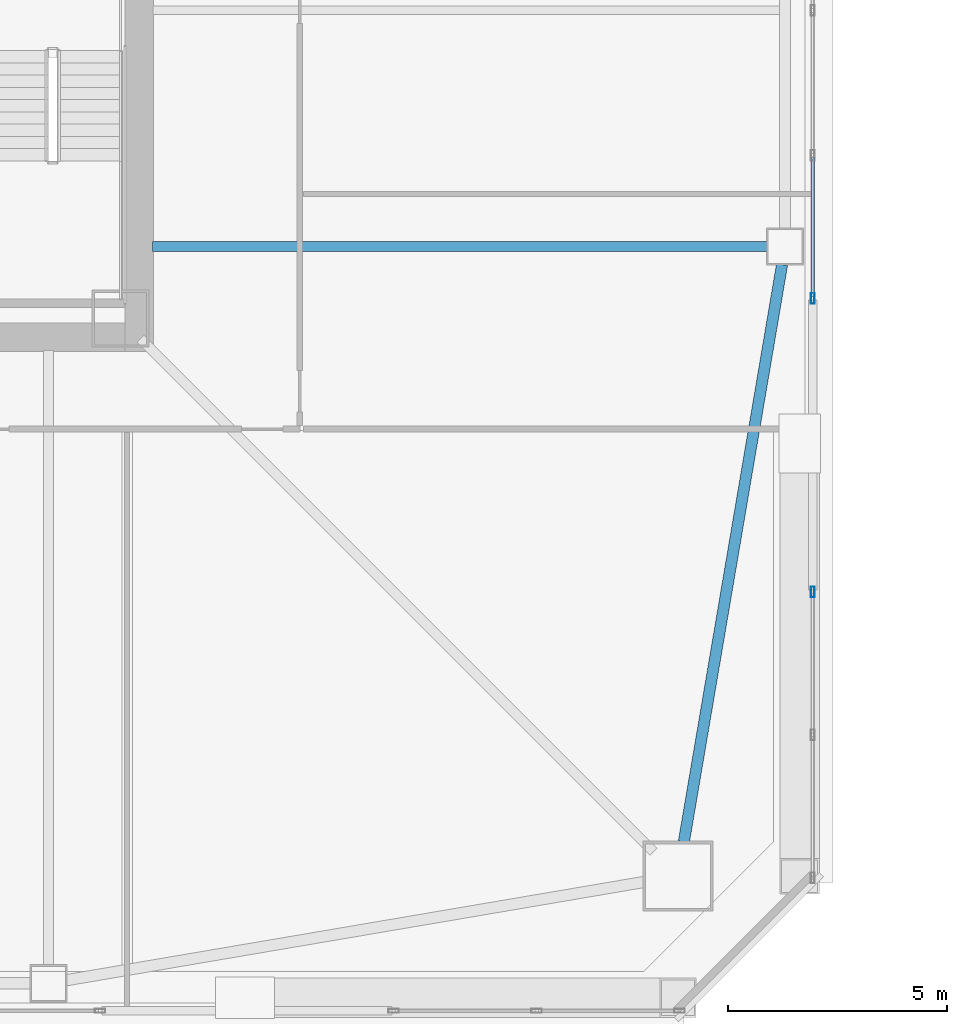
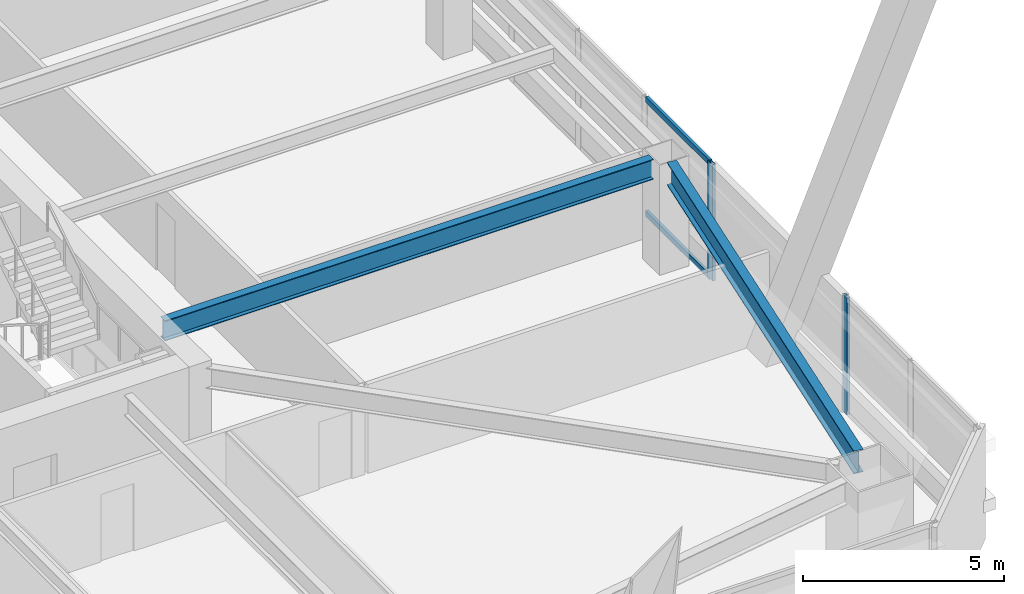
# One storey, part 15 of 75: 4 members, 2 beams, 2 elements without a shape of their own.
"""IFC4 building model written with IfcOpenShell, lengths in metres."""

from ifc_helpers import new_model, si_unit, direction, frame, origin, origin_2d, place, context, subcontext, project, spatial, hollow_rectangle, i_section, extrude, material, material_profile, profile_set, type_object, element, aggregate, save


model = new_model("IFC4")

# Units and contexts
model_context = context("Model", 3, precision=1e-05, world=origin(), true_north=direction((0.0, 1.0)))
body_context = subcontext(model_context, "Body", "Model", "MODEL_VIEW")
ifc_project = project(units=[si_unit("LENGTHUNIT", "METRE"), si_unit("AREAUNIT", "SQUARE_METRE"), si_unit("VOLUMEUNIT", "CUBIC_METRE"), si_unit("PLANEANGLEUNIT", "RADIAN"), si_unit("MASSUNIT", "GRAM", prefix="KILO")], contexts=[model_context])

# Site, building, storey
site_placement = place(None, origin())
site = spatial("IfcSite", under=ifc_project, at=site_placement, CompositionType="ELEMENT")
building_placement = place(site_placement, origin())
building = spatial("IfcBuilding", under=site, at=building_placement, Name="Tashvorn Skyway Center", CompositionType="ELEMENT")
storey_placement = place(building_placement, frame((0.0, 0.0, 45.89990234375)))
storey = spatial("IfcBuildingStorey", under=building, at=storey_placement, Name="L11", CompositionType="ELEMENT", Elevation=45.89990234375)

# Beams
ifc_material_1 = material(Name="Steel ASTM A992 Grade 50", Category="steel")
ifc_material_profile_1 = material_profile(ifc_material_1, i_section(OverallWidth=0.22998046875, OverallDepth=0.616943359375, WebThickness=0.01318359375, FlangeThickness=0.022216796875, at=origin_2d()), Name="W24X94")
ifc_profile_set_1 = profile_set([ifc_material_profile_1], Name="Steel ASTM A992 Grade 50")
beam_type_1 = type_object("IfcBeamType", Name="BM-BEAM-W24X94", PredefinedType="BEAM", material=ifc_profile_set_1)
beam_1_placement = place(storey_placement, frame((63.830078125, 26.60009765625, 3.04150390625), z_axis=(-1.0, 0.0, 0.0), x_axis=(0.0, -1.0, 0.0)))
element("IfcBeam", 1, at=beam_1_placement, inside=storey, type_object=beam_type_1, Name="Tower 1 L11 Primary Floor Girder FC-E1", PredefinedType="BEAM", context=body_context, shape_type="SweptSolid", body=[
    extrude(i_section(OverallWidth=0.22998046875, OverallDepth=0.616943359375, WebThickness=0.01318359375, FlangeThickness=0.022216796875, at=origin_2d()), origin(), (0.0, 0.0, 1.0), 14.050048828125),
])
ifc_material_profile_2 = material_profile(ifc_material_1, i_section(OverallWidth=0.256103515625, OverallDepth=0.693115234375, WebThickness=0.014404296875, FlangeThickness=0.023681640625, at=origin_2d()), Name="W27X114")
ifc_profile_set_2 = profile_set([ifc_material_profile_2], Name="Steel ASTM A992 Grade 50")
beam_type_2 = type_object("IfcBeamType", Name="BM-SPANDREL-W27X114", PredefinedType="SPANDREL", material=ifc_profile_set_2)
beam_2_placement = place(storey_placement, frame((61.933349609375, 12.983642578125, 3.003662109375), z_axis=(0.16771792509, 0.985835025551, 0.0), x_axis=(-0.985835025551, 0.16771792509, 0.0)))
element("IfcBeam", 2, at=beam_2_placement, inside=storey, type_object=beam_type_2, Name="Tower 1 L11 Spandrel Beam 04", PredefinedType="SPANDREL", context=body_context, shape_type="SweptSolid", body=[
    extrude(i_section(OverallWidth=0.256103515625, OverallDepth=0.693115234375, WebThickness=0.014404296875, FlangeThickness=0.023681640625, at=origin_2d()), origin(), (0.0, 0.0, 1.0), 13.39208984375),
])

# Curtain wall, member
ifc_material_2 = material(Name="Thermally broken bronze-anodized aluminium 6063-T6", Category="aluminium")
curtain_wall_type = type_object("IfcCurtainWallType", Name="CW-CW-Z1", PredefinedType="NOTDEFINED", material=ifc_material_2)
curtain_wall_1_placement = place(storey_placement, origin())
curtain_wall_1 = element("IfcCurtainWall", 3, at=curtain_wall_1_placement, inside=storey, type_object=curtain_wall_type, Name="Tower 1 L11 East Unitised Curtain Wall Glazing Group 2", PredefinedType="NOTDEFINED")
ifc_material_profile_3 = material_profile(ifc_material_2, hollow_rectangle(XDim=0.0849609375, YDim=0.239990234375, WallThickness=0.0048828125, at=origin_2d()), Name="ALU-MULL-85x240")
ifc_profile_set_3 = profile_set([ifc_material_profile_3], Name="Thermally broken bronze-anodized aluminium 6063-T6")
member_type_1 = type_object("IfcMemberType", Name="CWM-CW-Z1", PredefinedType="MULLION", material=ifc_profile_set_3)
member_1_placement = place(storey_placement, frame((64.8798828125, 25.415771484375, 0.0), z_axis=(0.0, 0.0, 1.0), x_axis=(1.0, 0.0, 0.0)))
member_1 = element("IfcMember", 4, at=member_1_placement, type_object=member_type_1, Name="CW-Z1 mullion 5", PredefinedType="MULLION", context=body_context, shape_type="SweptSolid", body=[
    extrude(hollow_rectangle(XDim=0.0849609375, YDim=0.239990234375, WallThickness=0.0048828125, at=origin_2d()), origin(), (0.0, 0.0, 1.0), 3.550048828125),
])

curtain_wall_2_placement = place(storey_placement, origin())
curtain_wall_2 = element("IfcCurtainWall", 5, at=curtain_wall_2_placement, inside=storey, type_object=curtain_wall_type, Name="Tower 1 L11 East Unitised Curtain Wall Glazing Group 3", PredefinedType="NOTDEFINED")
member_2_placement = place(storey_placement, frame((64.8798828125, 18.7041015625, 0.0), z_axis=(0.0, 0.0, 1.0), x_axis=(1.0, 0.0, 0.0)))
member_2 = element("IfcMember", 6, at=member_2_placement, type_object=member_type_1, Name="CW-Z1 mullion 1", PredefinedType="MULLION", context=body_context, shape_type="SweptSolid", body=[
    extrude(hollow_rectangle(XDim=0.0849609375, YDim=0.239990234375, WallThickness=0.0048828125, at=origin_2d()), origin(), (0.0, 0.0, 1.0), 3.550048828125),
])
aggregate(curtain_wall_2, [member_2])

# Member
ifc_material_profile_4 = material_profile(ifc_material_2, hollow_rectangle(XDim=0.0849609375, YDim=0.1650390625, WallThickness=0.0048828125, at=origin_2d()), Name="ALU-TRAN-85x165")
ifc_profile_set_4 = profile_set([ifc_material_profile_4], Name="Thermally broken bronze-anodized aluminium 6063-T6")
member_type_2 = type_object("IfcMemberType", Name="CWT-CW-Z1", PredefinedType="USERDEFINED", material=ifc_profile_set_4)
member_3_placement = place(storey_placement, frame((64.8798828125, 28.64404296875, 0.04248046875), z_axis=(0.0, -1.0, 0.0), x_axis=(1.0, 0.0, 0.0)))
member_3 = element("IfcMember", 7, at=member_3_placement, type_object=member_type_2, Name="CW-Z1 transom 4.1", ObjectType="TRANSOM", PredefinedType="USERDEFINED", context=body_context, shape_type="SweptSolid", body=[
    extrude(hollow_rectangle(XDim=0.0849609375, YDim=0.1650390625, WallThickness=0.0048828125, at=origin_2d()), origin(), (0.0, 0.0, 1.0), 3.185791015625),
])

member_4_placement = place(storey_placement, frame((64.8798828125, 28.64404296875, 3.507568359375), z_axis=(0.0, -1.0, 0.0), x_axis=(1.0, 0.0, 0.0)))
member_4 = element("IfcMember", 8, at=member_4_placement, type_object=member_type_2, Name="CW-Z1 transom 4.2", ObjectType="TRANSOM", PredefinedType="USERDEFINED", context=body_context, shape_type="SweptSolid", body=[
    extrude(hollow_rectangle(XDim=0.0849609375, YDim=0.1650390625, WallThickness=0.0048828125, at=origin_2d()), origin(), (0.0, 0.0, 1.0), 3.185791015625),
])

aggregate(curtain_wall_1, [member_1, member_3, member_4])

save(model, "model.ifc")
